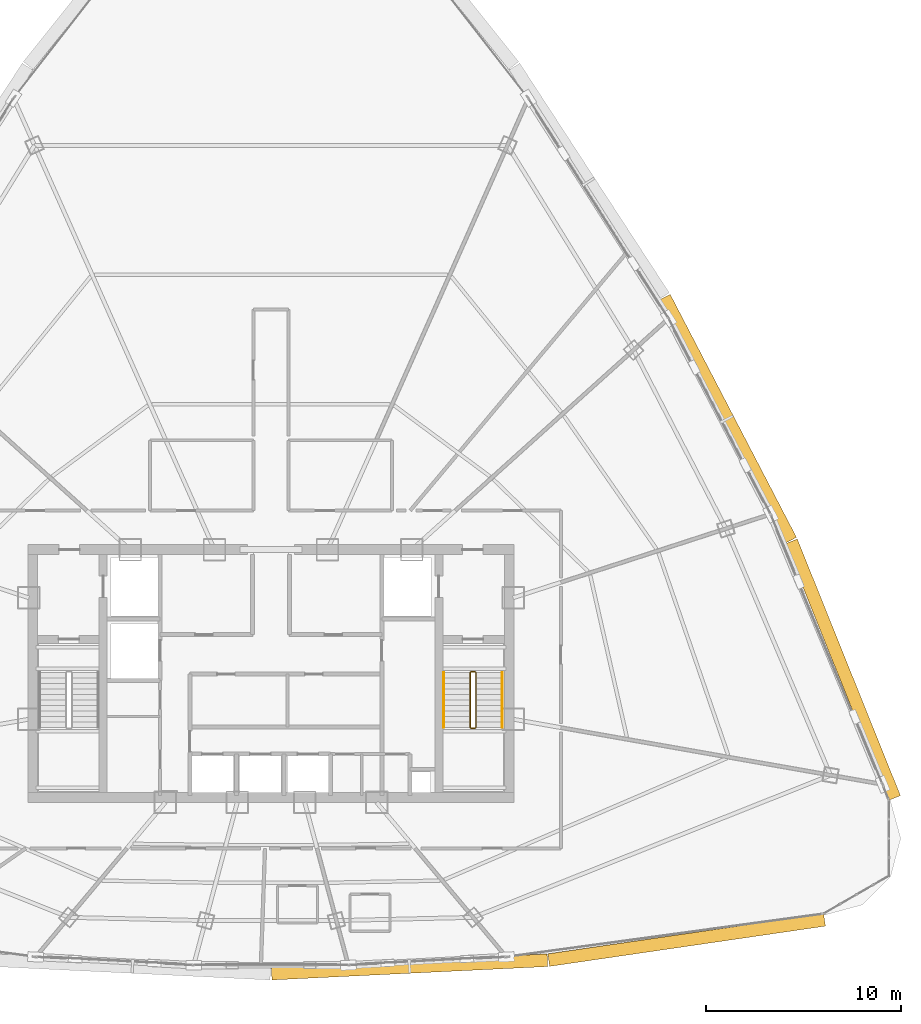
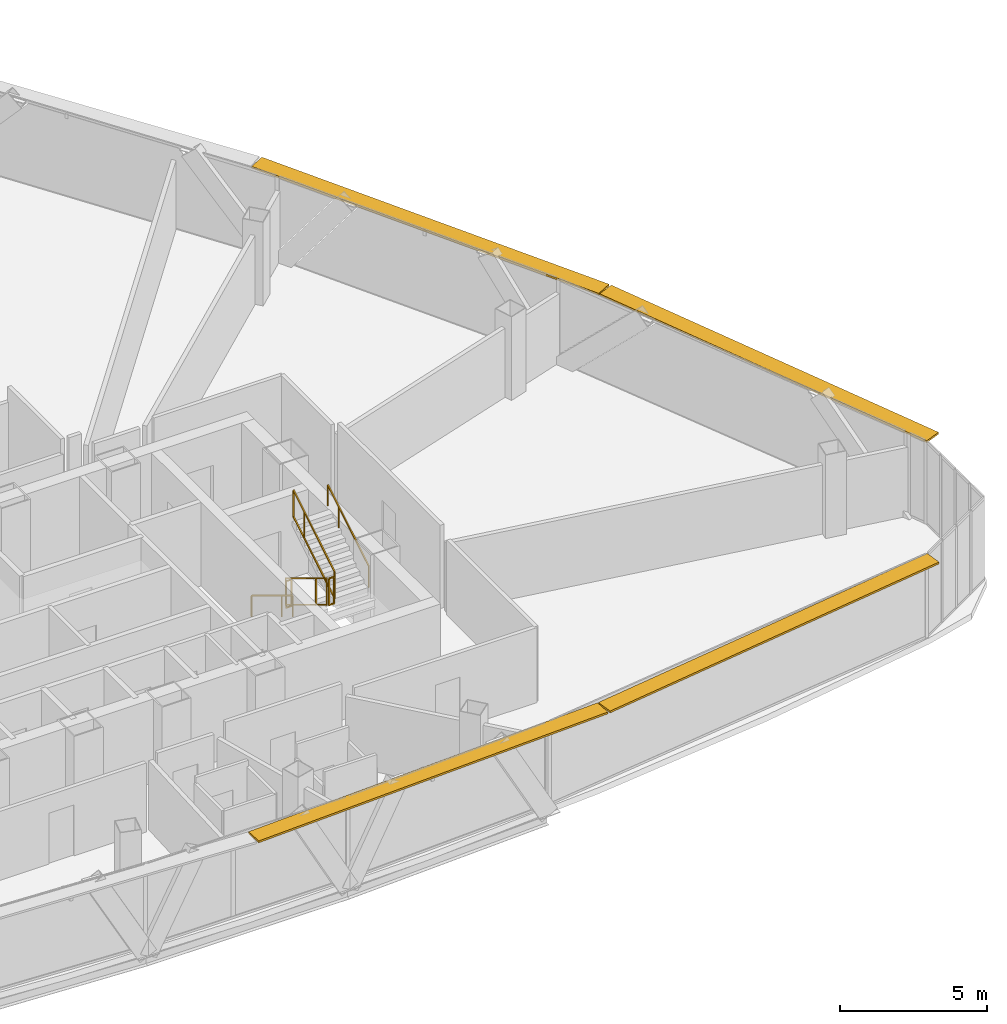
# One storey, part 39 of 40: 6 railings, 4 shading devices.
"""IFC4 building model written with IfcOpenShell, lengths in metres."""

from ifc_helpers import new_model, si_unit, direction, frame, origin, origin_2d, place, context, subcontext, project, spatial, rectangle, extrude, source, transform, mapped, material, layer, layer_set, type_object, element, save


model = new_model("IFC4")

# Units and contexts
model_context = context("Model", 3, precision=1e-05, world=origin(), true_north=direction((0.0, 1.0)))
body_context = subcontext(model_context, "Body", "Model", "MODEL_VIEW")
ifc_project = project(units=[si_unit("LENGTHUNIT", "METRE"), si_unit("AREAUNIT", "SQUARE_METRE"), si_unit("VOLUMEUNIT", "CUBIC_METRE"), si_unit("PLANEANGLEUNIT", "RADIAN"), si_unit("MASSUNIT", "GRAM", prefix="KILO"), si_unit("THERMODYNAMICTEMPERATUREUNIT", "KELVIN"), si_unit("POWERUNIT", "WATT")], contexts=[model_context])

# Site, building, storey
site_placement = place(None, origin())
site = spatial("IfcSite", under=ifc_project, at=site_placement, CompositionType="ELEMENT")
building_placement = place(site_placement, origin())
building = spatial("IfcBuilding", under=site, at=building_placement, Name="Yunzhuo Pagoda Commons", CompositionType="ELEMENT")
storey_placement = place(building_placement, frame((0.0, 0.0, 288.75)))
storey = spatial("IfcBuildingStorey", under=building, at=storey_placement, Name="L72", CompositionType="ELEMENT", Elevation=288.75)

# Railings
ifc_material = material(Name="Anodized aluminium 6063-T6", Category="aluminium")
railing_type_1 = type_object("IfcRailingType", Name="GR-ST2 Stair Well Guardrail 1160", PredefinedType="GUARDRAIL", material=ifc_material)
railing_1_placement = place(storey_placement, frame((58.199951171875, 33.89990234375, 0.16943359375)))
element("IfcRailing", 1, at=railing_1_placement, inside=storey, type_object=railing_type_1, Name="L72 ST2 stair guard 1", PredefinedType="GUARDRAIL", context=body_context, shape_type="SweptSolid", body=[
    extrude(rectangle(XDim=0.048095703125, YDim=0.048095703125, at=origin_2d()), frame((0.0, 0.0, 1.1259765625), z_axis=(0.0, -0.855373106579, 0.518012401918), x_axis=(1.0, 0.0, 0.0)), (0.0, 0.0, 1.0), 3.273193359375),
    extrude(rectangle(XDim=0.048095703125, YDim=0.048095703125, at=origin_2d()), frame((0.0, 0.0, 0.02392578125), z_axis=(0.0, -0.855373106579, 0.518012401918), x_axis=(1.0, 0.0, 0.0)), (0.0, 0.0, 1.0), 3.273193359375),
    extrude(rectangle(XDim=0.0419921875, YDim=0.0419921875, at=origin_2d()), origin(), (0.0, 0.0, 1.0), 1.101806640625),
    extrude(rectangle(XDim=0.0419921875, YDim=0.0419921875, at=origin_2d()), frame((0.0, -2.052978515625, 1.2431640625)), (0.0, 0.0, 1.0), 1.101806640625),
    extrude(rectangle(XDim=0.0419921875, YDim=0.0419921875, at=origin_2d()), frame((0.0, -2.7998046875, 1.695556640625)), (0.0, 0.0, 1.0), 1.101806640625),
])
railing_2_placement = place(storey_placement, frame((58.25, 31.050048828125, 1.864990234375)))
element("IfcRailing", 2, at=railing_2_placement, inside=storey, type_object=railing_type_1, Name="L72 ST2 stair guard 2", PredefinedType="GUARDRAIL", context=body_context, shape_type="SweptSolid", body=[
    extrude(rectangle(XDim=0.048095703125, YDim=0.048095703125, at=origin_2d()), frame((0.0, 0.0, 1.1259765625), z_axis=(1.0, 0.0, 0.0), x_axis=(0.0, 1.0, 0.0)), (0.0, 0.0, 1.0), 0.199951171875),
    extrude(rectangle(XDim=0.048095703125, YDim=0.048095703125, at=origin_2d()), frame((0.0, 0.0, 0.02392578125), z_axis=(1.0, 0.0, 0.0), x_axis=(0.0, 1.0, 0.0)), (0.0, 0.0, 1.0), 0.199951171875),
    extrude(rectangle(XDim=0.0419921875, YDim=0.0419921875, at=origin_2d()), origin(), (0.0, 0.0, 1.0), 1.101806640625),
    extrude(rectangle(XDim=0.0419921875, YDim=0.0419921875, at=origin_2d()), frame((0.199951171875, 0.0, 0.0)), (0.0, 0.0, 1.0), 1.101806640625),
])
railing_3_placement = place(storey_placement, frame((58.5, 31.10009765625, 2.034423828125)))
element("IfcRailing", 3, at=railing_3_placement, inside=storey, type_object=railing_type_1, Name="L72 ST2 stair guard 3", PredefinedType="GUARDRAIL", context=body_context, shape_type="SweptSolid", body=[
    extrude(rectangle(XDim=0.048095703125, YDim=0.048095703125, at=origin_2d()), frame((0.0, 0.0, 1.1259765625), z_axis=(0.0, 0.855373106579, 0.518012401918), x_axis=(-1.0, 0.0, 0.0)), (0.0, 0.0, 1.0), 3.273193359375),
    extrude(rectangle(XDim=0.048095703125, YDim=0.048095703125, at=origin_2d()), frame((0.0, 0.0, 0.02392578125), z_axis=(0.0, 0.855373106579, 0.518012401918), x_axis=(-1.0, 0.0, 0.0)), (0.0, 0.0, 1.0), 3.273193359375),
    extrude(rectangle(XDim=0.0419921875, YDim=0.0419921875, at=origin_2d()), origin(), (0.0, 0.0, 1.0), 1.101806640625),
    extrude(rectangle(XDim=0.0419921875, YDim=0.0419921875, at=origin_2d()), frame((0.0, 2.052978515625, 1.2431640625)), (0.0, 0.0, 1.0), 1.101806640625),
    extrude(rectangle(XDim=0.0419921875, YDim=0.0419921875, at=origin_2d()), frame((0.0, 2.7998046875, 1.695556640625)), (0.0, 0.0, 1.0), 1.101806640625),
])
railing_4_placement = place(storey_placement, frame((58.25, 33.949951171875, 0.0)))
element("IfcRailing", 4, at=railing_4_placement, inside=storey, type_object=railing_type_1, Name="L72 ST2 stair guard 4", PredefinedType="GUARDRAIL", context=body_context, shape_type="SweptSolid", body=[
    extrude(rectangle(XDim=0.048095703125, YDim=0.048095703125, at=origin_2d()), frame((0.0, 0.0, 1.1259765625), z_axis=(1.0, 0.0, 0.0), x_axis=(0.0, 1.0, 0.0)), (0.0, 0.0, 1.0), 0.199951171875),
    extrude(rectangle(XDim=0.048095703125, YDim=0.048095703125, at=origin_2d()), frame((0.0, 0.0, 0.02392578125), z_axis=(1.0, 0.0, 0.0), x_axis=(0.0, 1.0, 0.0)), (0.0, 0.0, 1.0), 0.199951171875),
    extrude(rectangle(XDim=0.0419921875, YDim=0.0419921875, at=origin_2d()), origin(), (0.0, 0.0, 1.0), 1.101806640625),
    extrude(rectangle(XDim=0.0419921875, YDim=0.0419921875, at=origin_2d()), frame((0.199951171875, 0.0, 0.0)), (0.0, 0.0, 1.0), 1.101806640625),
])
railing_type_2 = type_object("IfcRailingType", Name="HR-ST2 Stair Handrail 900", PredefinedType="HANDRAIL", material=ifc_material)
railing_5_placement = place(storey_placement, frame((56.85009765625, 33.89990234375, 0.16943359375)))
element("IfcRailing", 5, at=railing_5_placement, inside=storey, type_object=railing_type_2, Name="L72 ST2 stair handrail 1", PredefinedType="HANDRAIL", context=body_context, shape_type="SweptSolid", body=[
    extrude(rectangle(XDim=0.048095703125, YDim=0.048095703125, at=origin_2d()), frame((0.0, 0.0, 0.8759765625), z_axis=(0.0, -0.855373106579, 0.518012401918), x_axis=(1.0, 0.0, 0.0)), (0.0, 0.0, 1.0), 3.273193359375),
    extrude(rectangle(XDim=0.0419921875, YDim=0.0419921875, at=origin_2d()), origin(), (0.0, 0.0, 1.0), 0.851806640625),
    extrude(rectangle(XDim=0.0419921875, YDim=0.0419921875, at=origin_2d()), frame((0.0, -2.052978515625, 1.2431640625)), (0.0, 0.0, 1.0), 0.851806640625),
    extrude(rectangle(XDim=0.0419921875, YDim=0.0419921875, at=origin_2d()), frame((0.0, -2.7998046875, 1.695556640625)), (0.0, 0.0, 1.0), 0.851806640625),
])
railing_6_placement = place(storey_placement, frame((59.85009765625, 31.10009765625, 2.034423828125)))
element("IfcRailing", 6, at=railing_6_placement, inside=storey, type_object=railing_type_2, Name="L72 ST2 stair handrail 2", PredefinedType="HANDRAIL", context=body_context, shape_type="SweptSolid", body=[
    extrude(rectangle(XDim=0.048095703125, YDim=0.048095703125, at=origin_2d()), frame((0.0, 0.0, 0.8759765625), z_axis=(0.0, 0.855373106579, 0.518012401918), x_axis=(-1.0, 0.0, 0.0)), (0.0, 0.0, 1.0), 3.273193359375),
    extrude(rectangle(XDim=0.0419921875, YDim=0.0419921875, at=origin_2d()), origin(), (0.0, 0.0, 1.0), 0.851806640625),
    extrude(rectangle(XDim=0.0419921875, YDim=0.0419921875, at=origin_2d()), frame((0.0, 2.052978515625, 1.2431640625)), (0.0, 0.0, 1.0), 0.851806640625),
    extrude(rectangle(XDim=0.0419921875, YDim=0.0419921875, at=origin_2d()), frame((0.0, 2.7998046875, 1.695556640625)), (0.0, 0.0, 1.0), 0.851806640625),
])

# Shading devices
ifc_layer = layer(ifc_material, 0.080078125)
ifc_layer_set = layer_set([ifc_layer], Name="Anodized aluminium 6063-T6")
shading_device_type = type_object("IfcShadingDeviceType", Name="SH-SUN1 Pagoda Horizontal Sunshade Eave 650", PredefinedType="USERDEFINED", material=ifc_layer_set)
shared_shape_1 = source(origin(), body_context, "Body", "SweptSolid", [
    extrude(rectangle(XDim=14.2802734375, YDim=0.64990234375, at=origin_2d()), origin(), (0.0, 0.0, 1.0), 0.080078125),
])
shading_device_1_placement = place(storey_placement, frame((69.289794921875, 20.203369140625, 3.389892578125), z_axis=(0.0, 0.0, 1.0), x_axis=(0.989510666697, 0.144459823108, 0.0)))
element("IfcShadingDevice", 7, at=shading_device_1_placement, inside=storey, type_object=shading_device_type, Name="L72 horizontal pagoda sunshade eave F1.4", ObjectType="SUNSHADE", PredefinedType="USERDEFINED", context=body_context, shape_type="MappedRepresentation", body=[
    mapped(shared_shape_1, transform((0.0, 0.0, 0.0), scale=1.0)),
])
shared_shape_2 = source(origin(), body_context, "Body", "SweptSolid", [
    extrude(rectangle(XDim=14.14697265625, YDim=0.64990234375, at=origin_2d()), origin(), (0.0, 0.0, 1.0), 0.080078125),
])
shading_device_2_placement = place(storey_placement, frame((55.0966796875, 18.822021484375, 3.389892578125), z_axis=(0.0, 0.0, 1.0), x_axis=(0.998818043775, 0.04860571396, 0.0)))
element("IfcShadingDevice", 8, at=shading_device_2_placement, inside=storey, type_object=shading_device_type, Name="L72 horizontal pagoda sunshade eave F1.3", ObjectType="SUNSHADE", PredefinedType="USERDEFINED", context=body_context, shape_type="MappedRepresentation", body=[
    mapped(shared_shape_2, transform((0.0, 0.0, 0.0), scale=1.0)),
])
shared_shape_3 = source(origin(), body_context, "Body", "SweptSolid", [
    extrude(rectangle(XDim=14.165283203125, YDim=0.64990234375, at=origin_2d()), origin(), (0.0, 0.0, 1.0), 0.080078125),
])
shading_device_3_placement = place(storey_placement, frame((77.298583984375, 34.05029296875, 3.389892578125), z_axis=(0.0, 0.0, 1.0), x_axis=(-0.372987782576, 0.927836253899, 0.0)))
element("IfcShadingDevice", 9, at=shading_device_3_placement, inside=storey, type_object=shading_device_type, Name="L72 horizontal pagoda sunshade eave F2.1", ObjectType="SUNSHADE", PredefinedType="USERDEFINED", context=body_context, shape_type="MappedRepresentation", body=[
    mapped(shared_shape_3, transform((0.0, 0.0, 0.0), scale=1.0)),
])
shared_shape_4 = source(origin(), body_context, "Body", "SweptSolid", [
    extrude(rectangle(XDim=14.031005859375, YDim=0.64990234375, at=origin_2d()), origin(), (0.0, 0.0, 1.0), 0.080078125),
])
shading_device_4_placement = place(storey_placement, frame((71.394775390625, 46.904052734375, 3.389892578125), z_axis=(0.0, 0.0, 1.0), x_axis=(-0.461206683033, 0.88729273384, 0.0)))
element("IfcShadingDevice", 10, at=shading_device_4_placement, inside=storey, type_object=shading_device_type, Name="L72 horizontal pagoda sunshade eave F2.2", ObjectType="SUNSHADE", PredefinedType="USERDEFINED", context=body_context, shape_type="MappedRepresentation", body=[
    mapped(shared_shape_4, transform((0.0, 0.0, 0.0), scale=1.0)),
])

save(model, "model.ifc")
